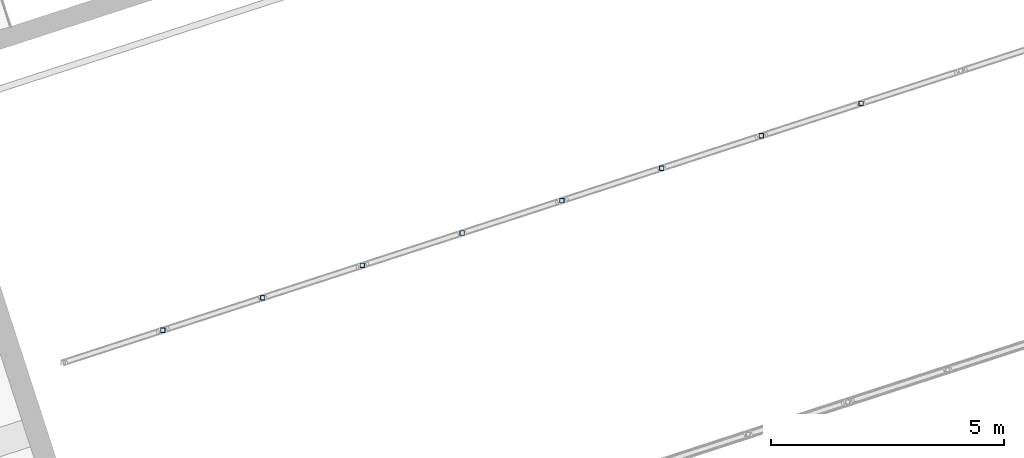
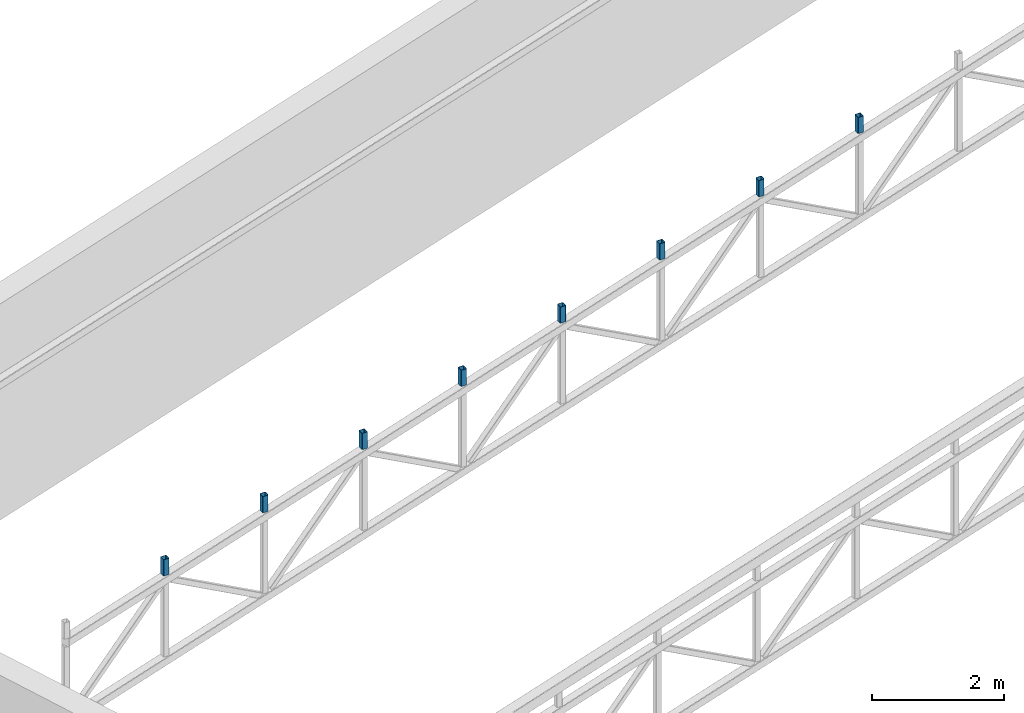
# One storey, part 60 of 81: 8 members.
"""IFC4 building model written with IfcOpenShell, lengths in metres."""

import ifcopenshell
import ifcopenshell.guid

model = None  # the IFC model being written
_history = None  # IfcOwnerHistory: only IFC2X3 demands one
_inside = {}  # id of a spatial element -> (the spatial element, [elements in it])
_under = {}  # id of a project, library or spatial element -> (it, [spatial elements below it])
_declared = {}  # id of a project -> (the project, [libraries it declares])
_typed = {}  # id of a type object -> (the type object, [elements of that type])
_made_of = {}  # id of a material, layer set ... -> (it, [elements and type objects made of it])


def new_model(schema):
    """Start an empty IFC model of exactly this schema.

    Asked for "IFC4X3", IfcOpenShell would pick the latest addendum, in which some entities
    have other attributes; the version numbers below select the first issue.
    IFC2X3 requires an IfcOwnerHistory on every rooted entity: one is made here for all.
    """
    global model, _history
    if schema == "IFC4X3":
        model = ifcopenshell.file(schema_version=(4, 3, 0, 0))
    else:
        model = ifcopenshell.file(schema=schema)
    _inside.clear()
    _under.clear()
    _declared.clear()
    _typed.clear()
    _made_of.clear()
    _history = None
    if model.schema == "IFC2X3":
        org = make("IfcOrganization", Name="unknown")
        user = make(
            "IfcPersonAndOrganization",
            ThePerson=make("IfcPerson", FamilyName="unknown"),
            TheOrganization=org,
        )
        app = make(
            "IfcApplication",
            ApplicationDeveloper=org,
            Version="unknown",
            ApplicationFullName="unknown",
            ApplicationIdentifier="unknown",
        )
        _history = make(
            "IfcOwnerHistory",
            OwningUser=user,
            OwningApplication=app,
            ChangeAction="ADDED",
            CreationDate=0,
        )
    return model


def make(cls, **values):
    """One entity of the class cls with the attributes given. An attribute that is None is left unset."""
    return model.create_entity(
        cls, **{name: value for name, value in values.items() if value is not None}
    )


def rooted(cls, **values):
    """An entity with a GlobalId (a new one), such as an element, a storey or a relation."""
    return make(cls, GlobalId=ifcopenshell.guid.new(), OwnerHistory=_history, **values)


def si_unit(unit_type, name, prefix=None):
    """IfcSIUnit, for example si_unit("LENGTHUNIT", "METRE", prefix="MILLI")."""
    return make("IfcSIUnit", UnitType=unit_type, Prefix=prefix, Name=name)


def assignment(units):
    """IfcUnitAssignment: the units of a project."""
    return None if units is None else make("IfcUnitAssignment", Units=units)


def point(xyz):
    """IfcCartesianPoint."""
    return None if xyz is None else make("IfcCartesianPoint", Coordinates=xyz)


def direction(xyz):
    """IfcDirection."""
    return None if xyz is None else make("IfcDirection", DirectionRatios=xyz)


def frame(location, z_axis=None, x_axis=None):
    """IfcAxis2Placement3D, a coordinate frame: its origin and axes. An axis left out is left unset."""
    return make(
        "IfcAxis2Placement3D",
        Location=point(location),
        Axis=direction(z_axis),
        RefDirection=direction(x_axis),
    )


def frame_2d(location, x_axis=None):
    """IfcAxis2Placement2D, a coordinate frame in the plane: its origin and x axis."""
    return make(
        "IfcAxis2Placement2D", Location=point(location), RefDirection=direction(x_axis)
    )


def origin():
    """The frame at (0, 0, 0) with its axes left unset."""
    return frame((0.0, 0.0, 0.0))


def origin_2d():
    """The frame at (0, 0) in the plane with its x axis left unset."""
    return frame_2d((0.0, 0.0))


def place(relative_to, where):
    """IfcLocalPlacement: puts the frame where relative to a parent placement (None: the world)."""
    return make(
        "IfcLocalPlacement", PlacementRelTo=relative_to, RelativePlacement=where
    )


def context(
    kind, dimensions, precision=None, world=None, true_north=None, identifier=None
):
    """IfcGeometricRepresentationContext, for example the 3D "Model" context."""
    return make(
        "IfcGeometricRepresentationContext",
        ContextIdentifier=identifier,
        ContextType=kind,
        CoordinateSpaceDimension=dimensions,
        Precision=precision,
        WorldCoordinateSystem=world,
        TrueNorth=true_north,
    )


def subcontext(parent, identifier, kind, view, scale=None):
    """IfcGeometricRepresentationSubContext, for example "Body" below "Model"."""
    return make(
        "IfcGeometricRepresentationSubContext",
        ContextIdentifier=identifier,
        ContextType=kind,
        ParentContext=parent,
        TargetScale=scale,
        TargetView=view,
    )


def project(units=None, contexts=None):
    """IfcProject with its units and contexts."""
    return rooted(
        "IfcProject",
        Name="project",
        RepresentationContexts=contexts,
        UnitsInContext=assignment(units),
    )


def spatial(cls, under=None, at=None, **own):
    """A site, building, storey or space (cls), placed at a placement, below another one or the project."""
    s = rooted(cls, ObjectPlacement=at, **own)
    if under is not None:
        _under.setdefault(under.id(), (under, []))[1].append(s)
    return s


def profile(cls, at=None, kind="AREA", **sizes):
    """A parametric profile (cls). Its sizes go by their IFC names, for example OverallWidth=200.0."""
    return make(cls, ProfileType=kind, Position=at, **sizes)


def hollow_rectangle(**sizes):
    """IfcRectangleHollowProfileDef."""
    return profile("IfcRectangleHollowProfileDef", **sizes)


def extrude(swept, where, along, depth):
    """IfcExtrudedAreaSolid: the profile swept, set in the frame where, extruded along a direction by depth."""
    return make(
        "IfcExtrudedAreaSolid",
        SweptArea=swept,
        Position=where,
        ExtrudedDirection=direction(along),
        Depth=depth,
    )


def shape(context_of_items, identifier, shape_type, items):
    """IfcShapeRepresentation: the items that make up one representation, for example the "Body"."""
    return make(
        "IfcShapeRepresentation",
        ContextOfItems=context_of_items,
        RepresentationIdentifier=identifier,
        RepresentationType=shape_type,
        Items=items,
    )


def material(Name=None, Category=None):
    """IfcMaterial."""
    return make("IfcMaterial", Name=Name, Category=Category)


def material_profile(
    of_material, cross_section, Name=None, Category=None, Priority=None
):
    """IfcMaterialProfile: a cross section and its material."""
    return make(
        "IfcMaterialProfile",
        Name=Name,
        Material=of_material,
        Profile=cross_section,
        Priority=Priority,
        Category=Category,
    )


def profile_set(profiles, Name=None, composite=None):
    """IfcMaterialProfileSet."""
    return make(
        "IfcMaterialProfileSet",
        Name=Name,
        MaterialProfiles=profiles,
        CompositeProfile=composite,
    )


def made_of(thing, what):
    """Note that an element or type object is made of a material, layer set ...; save() writes the relation."""
    if what is not None:
        _made_of.setdefault(what.id(), (what, []))[1].append(thing)
    return thing


def type_object(cls, material=None, **own):
    """A type object (cls), such as IfcWallType, which elements share."""
    return made_of(rooted(cls, **own), material)


def element(
    cls,
    number,
    at=None,
    inside=None,
    cuts=None,
    type_object=None,
    material=None,
    context=None,
    identifier="Body",
    shape_type=None,
    held_by="IfcProductDefinitionShape",
    body=None,
    shapes=None,
    **own,
):
    """One element of the class cls, such as IfcWall. Its Tag is "e" and its number.

    at: its placement. inside: the storey or other place that contains it. cuts: it is an
    opening in that element (IfcRelVoidsElement). A single representation is given by context,
    identifier, shape_type and body (its items); several are given by shapes. held_by: the class
    of the entity that holds the representations. save() writes the other relations.
    """
    e = rooted(cls, Tag="e%d" % number, ObjectPlacement=at, **own)
    if body is not None:
        shapes = [shape(context, identifier, shape_type, body)]
    if shapes is not None:
        e.Representation = make(held_by, Representations=shapes)
    if inside is not None:
        _inside.setdefault(inside.id(), (inside, []))[1].append(e)
    if cuts is not None:
        rooted(
            "IfcRelVoidsElement", RelatingBuildingElement=cuts, RelatedOpeningElement=e
        )
    if type_object is not None:
        _typed.setdefault(type_object.id(), (type_object, []))[1].append(e)
    return made_of(e, material)


def aggregate(whole, parts):
    """IfcRelAggregates: a whole, such as a stair, and the parts it consists of."""
    return rooted("IfcRelAggregates", RelatingObject=whole, RelatedObjects=parts)


def save(model, path):
    """Write the relations noted so far, then the file.

    IfcRelAggregates (storeys below a building ...), IfcRelContainedInSpatialStructure (elements
    in a storey), IfcRelDefinesByType, IfcRelAssociatesMaterial and IfcRelDeclares: one each for
    every whole, place, type object, material and project.
    """
    for whole, parts in _under.values():
        aggregate(whole, parts)
    for where, things in _inside.values():
        rooted(
            "IfcRelContainedInSpatialStructure",
            RelatedElements=things,
            RelatingStructure=where,
        )
    for kind, things in _typed.values():
        rooted("IfcRelDefinesByType", RelatedObjects=things, RelatingType=kind)
    for what, things in _made_of.values():
        rooted("IfcRelAssociatesMaterial", RelatedObjects=things, RelatingMaterial=what)
    for by, libraries in _declared.values():
        rooted("IfcRelDeclares", RelatingContext=by, RelatedDefinitions=libraries)
    model.write(path)


model = new_model("IFC4")

# Units and contexts
model_context = context("Model", 3, precision=1e-05, world=origin(), true_north=direction((0.0, 1.0)))
body_context = subcontext(model_context, "Body", "Model", "MODEL_VIEW")
ifc_project = project(units=[si_unit("LENGTHUNIT", "METRE"), si_unit("AREAUNIT", "SQUARE_METRE"), si_unit("VOLUMEUNIT", "CUBIC_METRE"), si_unit("PLANEANGLEUNIT", "RADIAN"), si_unit("MASSUNIT", "GRAM", prefix="KILO")], contexts=[model_context])

# Site, building, storey
site_placement = place(None, origin())
site = spatial("IfcSite", under=ifc_project, at=site_placement, CompositionType="ELEMENT")
building_placement = place(site_placement, origin())
building = spatial("IfcBuilding", under=site, at=building_placement, Name="Tuart Plaza Theatre", CompositionType="ELEMENT")
storey_placement = place(building_placement, frame((0.0, 0.0, 17.5)))
storey = spatial("IfcBuildingStorey", under=building, at=storey_placement, Name="L04", CompositionType="ELEMENT", Elevation=17.5)

# Members
ifc_material = material(Name="Steel Grade C350L0", Category="steel")
ifc_material_profile = material_profile(ifc_material, hollow_rectangle(XDim=0.10009765625, YDim=0.10009765625, WallThickness=0.006103515625, InnerFilletRadius=0.006103515625, OuterFilletRadius=0.011962890625, at=origin_2d()), Name="100x100x6 SHS")
ifc_profile_set = profile_set([ifc_material_profile], Name="Steel Grade C350L0")
member_type = type_object("IfcMemberType", Name="MEMBER Post 100x100x6 SHS", PredefinedType="POST", material=ifc_profile_set)
for number, where, z_axis, x_axis, name in (
    (1, (46.599609375, 62.975830078125, 4.183837890625), (0.0, 0.0, 1.0), (1.0, 0.0, 0.0), "PO175"),
    (2, (48.737548828125, 63.67041015625, 4.183837890625), (0.0, 0.0, 1.0), (1.0, 0.0, 0.0), "PO176"),
    (3, (50.87548828125, 64.365234375, 4.183837890625), (0.0, 0.0, 1.0), (1.0, 0.0, 0.0), "PO177"),
    (4, (53.01318359375, 65.059814453125, 4.183837890625), (0.0, 0.0, 1.0), (1.0, 0.0, 0.0), "PO178"),
    (5, (55.151123046875, 65.75439453125, 4.183837890625), (0.0, 0.0, 1.0), (1.0, 0.0, 0.0), "PO179"),
    (6, (57.2890625, 66.448974609375, 4.183837890625), (0.0, 0.0, 1.0), (1.0, 0.0, 0.0), "PO180"),
    (7, (59.427001953125, 67.143798828125, 4.183837890625), (0.0, 0.0, 1.0), (1.0, 0.0, 0.0), "PO181"),
    (8, (61.56494140625, 67.83837890625, 4.183837890625), (0.0, 0.0, 1.0), (1.0, 0.0, 0.0), "PO182"),
):
    element("IfcMember", number, at=place(storey_placement, frame(where, z_axis=z_axis, x_axis=x_axis)), inside=storey, type_object=member_type, Name=name, PredefinedType="POST", context=body_context, shape_type="SweptSolid", body=[
        extrude(hollow_rectangle(XDim=0.10009765625, YDim=0.10009765625, WallThickness=0.006103515625, InnerFilletRadius=0.006103515625, OuterFilletRadius=0.011962890625, at=origin_2d()), origin(), (0.0, 0.0, 1.0), 0.300048828125),
    ])

save(model, "model.ifc")
